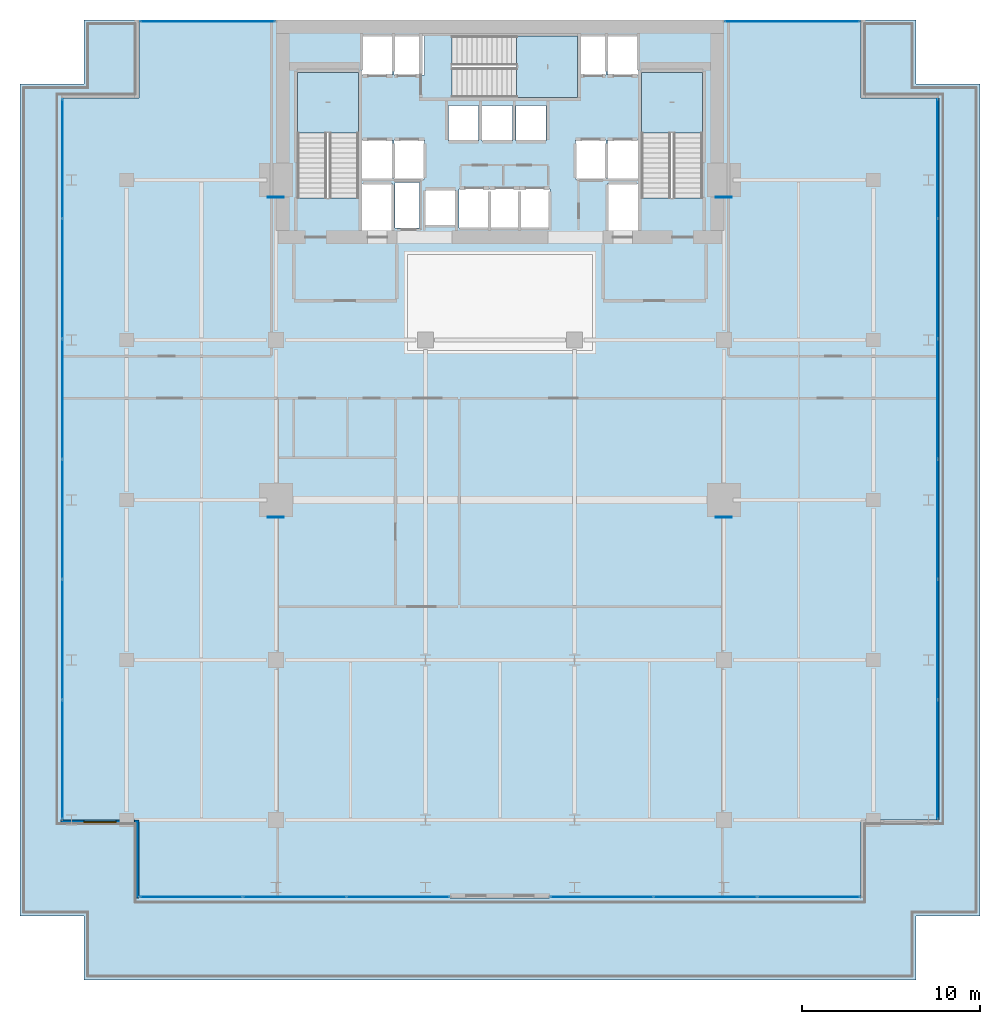
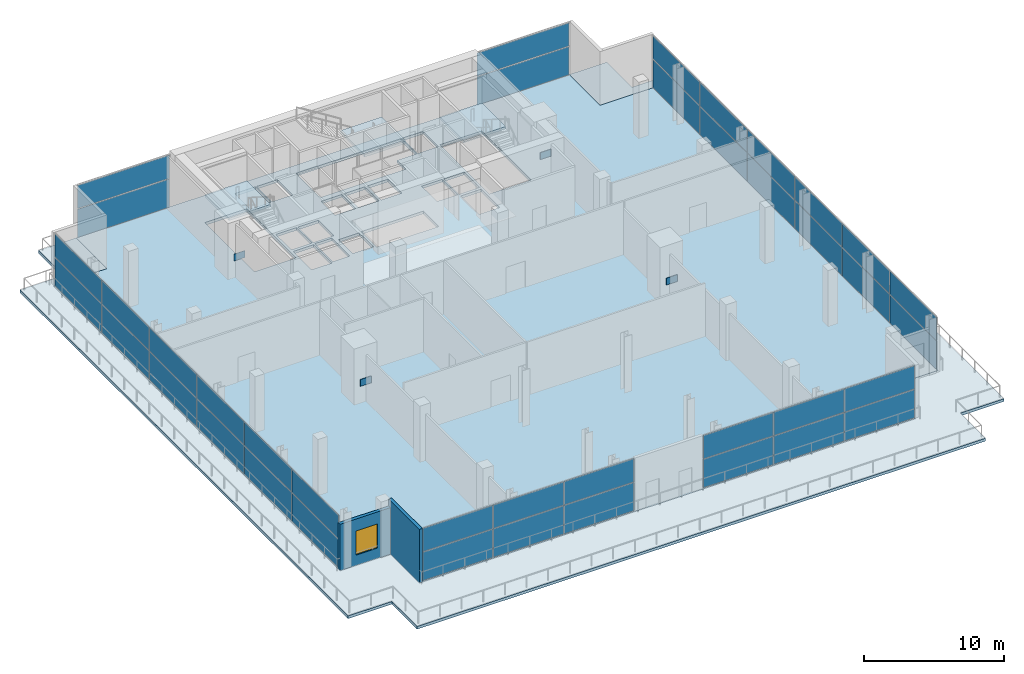
# One storey, part 23 of 31: 44 plates, 5 slabs, 2 walls, 1 window, 1 opening, 9 elements without a shape of their own.
"""IFC4 building model written with IfcOpenShell, lengths in metres."""

from ifc_helpers import new_model, si_unit, direction, frame, frame_2d, origin, origin_2d, place, context, subcontext, project, spatial, polyline, rectangle, outline, extrude, material, layer, layer_set, type_object, element, fill, aggregate, save


model = new_model("IFC4")

# Units and contexts
model_context = context("Model", 3, precision=1e-05, world=origin(), true_north=direction((0.0, 1.0)))
body_context = subcontext(model_context, "Body", "Model", "MODEL_VIEW")
ifc_project = project(units=[si_unit("LENGTHUNIT", "METRE"), si_unit("AREAUNIT", "SQUARE_METRE"), si_unit("VOLUMEUNIT", "CUBIC_METRE"), si_unit("PLANEANGLEUNIT", "RADIAN"), si_unit("MASSUNIT", "GRAM", prefix="KILO")], contexts=[model_context])

# Site, building, storey
site_placement = place(None, origin())
site = spatial("IfcSite", under=ifc_project, at=site_placement, CompositionType="ELEMENT")
building_placement = place(site_placement, origin())
building = spatial("IfcBuilding", under=site, at=building_placement, Name="Maruvema Waterfront Hotel and Observation Tower", CompositionType="ELEMENT")
storey_placement = place(building_placement, frame((0.0, 0.0, 122.5)))
storey = spatial("IfcBuildingStorey", under=building, at=storey_placement, Name="L29", CompositionType="ELEMENT", Elevation=122.5)

# Slabs
ifc_material_1 = material(Name="Concrete C50/60", Category="concrete")
ifc_layer_1 = layer(ifc_material_1, 0.239990234375, Name="Outdoor Setback Terrace Deck Slab 240 mm")
ifc_layer_set_1 = layer_set([ifc_layer_1], Name="Concrete C50/60")
slab_type_1 = type_object("IfcSlabType", Name="Outdoor Setback Terrace Deck Slab 240 mm", PredefinedType="FLOOR", material=ifc_layer_set_1)
slab_1_placement = place(storey_placement, frame((0.0, 0.0, -0.239990234375)))
element("IfcSlab", 1, at=slab_1_placement, inside=storey, type_object=slab_type_1, Name="L29 Outdoor Setback Terrace Deck 1", PredefinedType="FLOOR", context=body_context, shape_type="SweptSolid", body=[
    extrude(outline(polyline([(61.199951171875, 54.0), (61.199951171875, 50.39990234375), (64.800048828125, 50.39990234375), (64.800048828125, 3.60009765625), (61.199951171875, 3.60009765625), (61.199951171875, 0.0), (14.39990234375, 0.0), (14.39990234375, 3.60009765625), (10.800048828125, 3.60009765625), (10.800048828125, 50.39990234375), (14.39990234375, 50.39990234375), (14.39990234375, 54.0), (17.5, 54.0), (17.5, 49.60009765625), (13.10009765625, 49.60009765625), (13.10009765625, 9.0), (17.5, 9.0), (17.5, 4.60009765625), (58.10009765625, 4.60009765625), (58.10009765625, 9.0), (62.5, 9.0), (62.5, 49.60009765625), (58.10009765625, 49.60009765625), (58.10009765625, 54.0), (61.199951171875, 54.0)])), origin(), (0.0, 0.0, 1.0), 0.239990234375),
])
ifc_material_2 = material(Name="Concrete C50/60", Category="concrete")
ifc_layer_2 = layer(ifc_material_2, 0.239990234375, Name="Reinforced Concrete Floor Slab 240 mm")
ifc_layer_set_2 = layer_set([ifc_layer_2], Name="Concrete C50/60")
slab_type_2 = type_object("IfcSlabType", Name="Reinforced Concrete Floor Slab 240 mm", PredefinedType="FLOOR", material=ifc_layer_set_2)
slab_2_placement = place(storey_placement, frame((0.0, 0.0, -0.239990234375)))
element("IfcSlab", 2, at=slab_2_placement, inside=storey, type_object=slab_type_2, Name="L29 Structural Floor Slab", PredefinedType="FLOOR", context=body_context, shape_type="SweptSolid", body=[
    extrude(outline(polyline([(17.5, 4.60009765625), (58.10009765625, 4.60009765625), (58.10009765625, 9.0), (62.5, 9.0), (62.5, 49.60009765625), (58.10009765625, 49.60009765625), (58.10009765625, 54.0), (17.5, 54.0), (17.5, 49.60009765625), (13.10009765625, 49.60009765625), (13.10009765625, 9.0), (17.5, 9.0), (17.5, 4.60009765625)]), holes=[polyline([(26.39990234375, 44.00048828125), (26.39990234375, 51.050048828125), (29.85009765625, 51.050048828125), (29.85009765625, 44.00048828125), (26.39990234375, 44.00048828125)]), polyline([(30.050048828125, 44.800048828125), (31.75, 44.800048828125), (31.75, 42.169921875), (30.050048828125, 42.169921875), (30.050048828125, 44.800048828125)]), polyline([(31.75, 47.25), (31.75, 45.050048828125), (30.050048828125, 45.050048828125), (30.050048828125, 47.25), (31.75, 47.25)]), polyline([(31.75, 53.10009765625), (31.75, 50.89990234375), (30.050048828125, 50.89990234375), (30.050048828125, 53.10009765625), (31.75, 53.10009765625)]), polyline([(33.280029296875, 44.860107421875), (33.280029296875, 42.2900390625), (31.8798828125, 42.2900390625), (31.8798828125, 44.860107421875), (33.280029296875, 44.860107421875)]), polyline([(31.85009765625, 47.25), (33.550048828125, 47.25), (33.550048828125, 45.050048828125), (31.85009765625, 45.050048828125), (31.85009765625, 47.25)]), polyline([(31.85009765625, 53.10009765625), (33.550048828125, 53.10009765625), (33.550048828125, 50.89990234375), (31.85009765625, 50.89990234375), (31.85009765625, 53.10009765625)]), polyline([(33.60009765625, 44.449951171875), (35.300048828125, 44.449951171875), (35.300048828125, 42.449951171875), (33.60009765625, 42.449951171875), (33.60009765625, 44.449951171875)]), polyline([(34.89990234375, 49.199951171875), (36.60009765625, 49.199951171875), (36.60009765625, 47.199951171875), (34.89990234375, 47.199951171875), (34.89990234375, 49.199951171875)]), polyline([(38.5, 49.199951171875), (38.5, 47.199951171875), (36.800048828125, 47.199951171875), (36.800048828125, 49.199951171875), (38.5, 49.199951171875)]), polyline([(35.5, 44.5), (40.60009765625, 44.5), (40.60009765625, 42.300048828125), (35.5, 42.300048828125), (35.5, 44.5)]), polyline([(43.75, 50.89990234375), (42.14990234375, 50.89990234375), (42.14990234375, 49.64990234375), (35.1005859375, 49.64990234375), (35.1005859375, 53.10009765625), (43.75, 53.10009765625), (43.75, 50.89990234375)]), polyline([(40.39990234375, 49.199951171875), (40.39990234375, 47.199951171875), (38.699951171875, 47.199951171875), (38.699951171875, 49.199951171875), (40.39990234375, 49.199951171875)]), polyline([(43.75, 47.25), (43.75, 45.050048828125), (42.050048828125, 45.050048828125), (42.050048828125, 47.25), (43.75, 47.25)]), polyline([(45.550048828125, 44.800048828125), (45.550048828125, 42.169921875), (43.85009765625, 42.169921875), (43.85009765625, 44.800048828125), (45.550048828125, 44.800048828125)]), polyline([(43.85009765625, 47.25), (45.550048828125, 47.25), (45.550048828125, 45.050048828125), (43.85009765625, 45.050048828125), (43.85009765625, 47.25)]), polyline([(45.550048828125, 53.10009765625), (45.550048828125, 50.89990234375), (43.85009765625, 50.89990234375), (43.85009765625, 53.10009765625), (45.550048828125, 53.10009765625)]), polyline([(45.75, 51.050048828125), (49.199951171875, 51.050048828125), (49.199951171875, 44.00048828125), (45.75, 44.00048828125), (45.75, 51.050048828125)])]), origin(), (0.0, 0.0, 1.0), 0.239990234375),
])

# Curtain wall, plates
ifc_material_3 = material(Name="Anodised bronze aluminium and solar-control low-E IGU", Category="aluminium")
ifc_layer_3 = layer(ifc_material_3, 0.159912109375, Name="Zone 2 Amber Inner Thermal Curtain Wall System CW-03")
ifc_layer_set_3 = layer_set([ifc_layer_3], Name="Anodised bronze aluminium and solar-control low-E IGU")
curtain_wall_type = type_object("IfcCurtainWallType", Name="Zone 2 Amber Inner Thermal Curtain Wall System CW-03", PredefinedType="USERDEFINED", material=ifc_layer_set_3)
curtain_wall_1_placement = place(storey_placement, origin())
curtain_wall_1 = element("IfcCurtainWall", 3, at=curtain_wall_1_placement, inside=storey, type_object=curtain_wall_type, Name="L29 Curtain Wall CW-L29-SW", ObjectType="UNITISED CURTAIN WALL", PredefinedType="USERDEFINED")
ifc_material_4 = material(Name="Laminated low-E solar-control double glazing", Category="glass")
ifc_layer_4 = layer(ifc_material_4, 0.035888671875, Name="Solar Control Double-Glazed Curtain Panel 36 mm")
ifc_layer_set_4 = layer_set([ifc_layer_4], Name="Laminated low-E solar-control double glazing")
plate_type_1 = type_object("IfcPlateType", Name="Solar Control Double-Glazed Curtain Panel 36 mm", PredefinedType="CURTAIN_PANEL", material=ifc_layer_set_4)
plate_1_placement = place(storey_placement, frame((20.431640625, 4.679931640625, 0.06005859375), z_axis=(0.0, 0.0, 1.0), x_axis=(1.0, 0.0, 0.0)))
plate_1 = element("IfcPlate", 4, at=plate_1_placement, type_object=plate_type_1, Name="CW-03 panel 1.1", PredefinedType="CURTAIN_PANEL", context=body_context, shape_type="SweptSolid", body=[
    extrude(rectangle(XDim=5.743408203125, YDim=0.028076171875, at=origin_2d()), origin(), (0.0, 0.0, 1.0), 2.4599609375),
])
plate_2_placement = place(storey_placement, frame((20.431640625, 4.679931640625, 2.580078125), z_axis=(0.0, 0.0, 1.0), x_axis=(1.0, 0.0, 0.0)))
plate_2 = element("IfcPlate", 5, at=plate_2_placement, type_object=plate_type_1, Name="CW-03 panel 1.2", PredefinedType="CURTAIN_PANEL", context=body_context, shape_type="SweptSolid", body=[
    extrude(rectangle(XDim=5.743408203125, YDim=0.028076171875, at=origin_2d()), origin(), (0.0, 0.0, 1.0), 2.02001953125),
])
plate_3_placement = place(storey_placement, frame((26.25, 4.679931640625, 0.06005859375), z_axis=(0.0, 0.0, 1.0), x_axis=(1.0, 0.0, 0.0)))
plate_3 = element("IfcPlate", 6, at=plate_3_placement, type_object=plate_type_1, Name="CW-03 panel 2.1", PredefinedType="CURTAIN_PANEL", context=body_context, shape_type="SweptSolid", body=[
    extrude(rectangle(XDim=5.7734375, YDim=0.028076171875, at=origin_2d()), origin(), (0.0, 0.0, 1.0), 2.4599609375),
])
plate_4_placement = place(storey_placement, frame((26.25, 4.679931640625, 2.580078125), z_axis=(0.0, 0.0, 1.0), x_axis=(1.0, 0.0, 0.0)))
plate_4 = element("IfcPlate", 7, at=plate_4_placement, type_object=plate_type_1, Name="CW-03 panel 2.2", PredefinedType="CURTAIN_PANEL", context=body_context, shape_type="SweptSolid", body=[
    extrude(rectangle(XDim=5.7734375, YDim=0.028076171875, at=origin_2d()), origin(), (0.0, 0.0, 1.0), 2.02001953125),
])
plate_5_placement = place(storey_placement, frame((32.068359375, 4.679931640625, 0.06005859375), z_axis=(0.0, 0.0, 1.0), x_axis=(1.0, 0.0, 0.0)))
plate_5 = element("IfcPlate", 8, at=plate_5_placement, type_object=plate_type_1, Name="CW-03 panel 3.1", PredefinedType="CURTAIN_PANEL", context=body_context, shape_type="SweptSolid", body=[
    extrude(rectangle(XDim=5.743408203125, YDim=0.028076171875, at=origin_2d()), origin(), (0.0, 0.0, 1.0), 2.4599609375),
])
plate_6_placement = place(storey_placement, frame((32.068359375, 4.679931640625, 2.580078125), z_axis=(0.0, 0.0, 1.0), x_axis=(1.0, 0.0, 0.0)))
plate_6 = element("IfcPlate", 9, at=plate_6_placement, type_object=plate_type_1, Name="CW-03 panel 3.2", PredefinedType="CURTAIN_PANEL", context=body_context, shape_type="SweptSolid", body=[
    extrude(rectangle(XDim=5.743408203125, YDim=0.028076171875, at=origin_2d()), origin(), (0.0, 0.0, 1.0), 2.02001953125),
])
aggregate(curtain_wall_1, [plate_1, plate_2, plate_3, plate_4, plate_5, plate_6])

curtain_wall_2_placement = place(storey_placement, origin())
curtain_wall_2 = element("IfcCurtainWall", 10, at=curtain_wall_2_placement, inside=storey, type_object=curtain_wall_type, Name="L29 Curtain Wall CW-L29-SE", ObjectType="UNITISED CURTAIN WALL", PredefinedType="USERDEFINED")
plate_7_placement = place(storey_placement, frame((43.53173828125, 4.679931640625, 0.06005859375), z_axis=(0.0, 0.0, 1.0), x_axis=(1.0, 0.0, 0.0)))
plate_7 = element("IfcPlate", 11, at=plate_7_placement, type_object=plate_type_1, Name="CW-03 panel 1.1", PredefinedType="CURTAIN_PANEL", context=body_context, shape_type="SweptSolid", body=[
    extrude(rectangle(XDim=5.743408203125, YDim=0.028076171875, at=origin_2d()), origin(), (0.0, 0.0, 1.0), 2.4599609375),
])
plate_8_placement = place(storey_placement, frame((43.53173828125, 4.679931640625, 2.580078125), z_axis=(0.0, 0.0, 1.0), x_axis=(1.0, 0.0, 0.0)))
plate_8 = element("IfcPlate", 12, at=plate_8_placement, type_object=plate_type_1, Name="CW-03 panel 1.2", PredefinedType="CURTAIN_PANEL", context=body_context, shape_type="SweptSolid", body=[
    extrude(rectangle(XDim=5.743408203125, YDim=0.028076171875, at=origin_2d()), origin(), (0.0, 0.0, 1.0), 2.02001953125),
])
plate_9_placement = place(storey_placement, frame((49.35009765625, 4.679931640625, 0.06005859375), z_axis=(0.0, 0.0, 1.0), x_axis=(1.0, 0.0, 0.0)))
plate_9 = element("IfcPlate", 13, at=plate_9_placement, type_object=plate_type_1, Name="CW-03 panel 2.1", PredefinedType="CURTAIN_PANEL", context=body_context, shape_type="SweptSolid", body=[
    extrude(rectangle(XDim=5.7734375, YDim=0.028076171875, at=origin_2d()), origin(), (0.0, 0.0, 1.0), 2.4599609375),
])
plate_10_placement = place(storey_placement, frame((49.35009765625, 4.679931640625, 2.580078125), z_axis=(0.0, 0.0, 1.0), x_axis=(1.0, 0.0, 0.0)))
plate_10 = element("IfcPlate", 14, at=plate_10_placement, type_object=plate_type_1, Name="CW-03 panel 2.2", PredefinedType="CURTAIN_PANEL", context=body_context, shape_type="SweptSolid", body=[
    extrude(rectangle(XDim=5.7734375, YDim=0.028076171875, at=origin_2d()), origin(), (0.0, 0.0, 1.0), 2.02001953125),
])
plate_11_placement = place(storey_placement, frame((55.168212890625, 4.679931640625, 0.06005859375), z_axis=(0.0, 0.0, 1.0), x_axis=(1.0, 0.0, 0.0)))
plate_11 = element("IfcPlate", 15, at=plate_11_placement, type_object=plate_type_1, Name="CW-03 panel 3.1", PredefinedType="CURTAIN_PANEL", context=body_context, shape_type="SweptSolid", body=[
    extrude(rectangle(XDim=5.743408203125, YDim=0.028076171875, at=origin_2d()), origin(), (0.0, 0.0, 1.0), 2.4599609375),
])
plate_12_placement = place(storey_placement, frame((55.168212890625, 4.679931640625, 2.580078125), z_axis=(0.0, 0.0, 1.0), x_axis=(1.0, 0.0, 0.0)))
plate_12 = element("IfcPlate", 16, at=plate_12_placement, type_object=plate_type_1, Name="CW-03 panel 3.2", PredefinedType="CURTAIN_PANEL", context=body_context, shape_type="SweptSolid", body=[
    extrude(rectangle(XDim=5.743408203125, YDim=0.028076171875, at=origin_2d()), origin(), (0.0, 0.0, 1.0), 2.02001953125),
])
aggregate(curtain_wall_2, [plate_7, plate_8, plate_9, plate_10, plate_11, plate_12])

curtain_wall_3_placement = place(storey_placement, origin())
curtain_wall_3 = element("IfcCurtainWall", 17, at=curtain_wall_3_placement, inside=storey, type_object=curtain_wall_type, Name="L29 Curtain Wall CW-L29-E", ObjectType="UNITISED CURTAIN WALL", PredefinedType="USERDEFINED")
plate_13_placement = place(storey_placement, frame((62.419921875, 12.3984375, 0.06005859375), z_axis=(0.0, 0.0, 1.0), x_axis=(0.0, 1.0, 0.0)))
plate_13 = element("IfcPlate", 18, at=plate_13_placement, type_object=plate_type_1, Name="CW-03 panel 1.1", PredefinedType="CURTAIN_PANEL", context=body_context, shape_type="SweptSolid", body=[
    extrude(rectangle(XDim=6.6767578125, YDim=0.028076171875, at=origin_2d()), origin(), (0.0, 0.0, 1.0), 2.4599609375),
])
plate_14_placement = place(storey_placement, frame((62.419921875, 12.3984375, 2.580078125), z_axis=(0.0, 0.0, 1.0), x_axis=(0.0, 1.0, 0.0)))
plate_14 = element("IfcPlate", 19, at=plate_14_placement, type_object=plate_type_1, Name="CW-03 panel 1.2", PredefinedType="CURTAIN_PANEL", context=body_context, shape_type="SweptSolid", body=[
    extrude(rectangle(XDim=6.6767578125, YDim=0.028076171875, at=origin_2d()), origin(), (0.0, 0.0, 1.0), 2.02001953125),
])
plate_15_placement = place(storey_placement, frame((62.419921875, 19.14990234375, 0.06005859375), z_axis=(0.0, 0.0, 1.0), x_axis=(0.0, 1.0, 0.0)))
plate_15 = element("IfcPlate", 20, at=plate_15_placement, type_object=plate_type_1, Name="CW-03 panel 2.1", PredefinedType="CURTAIN_PANEL", context=body_context, shape_type="SweptSolid", body=[
    extrude(rectangle(XDim=6.706787109375, YDim=0.028076171875, at=origin_2d()), origin(), (0.0, 0.0, 1.0), 2.4599609375),
])
plate_16_placement = place(storey_placement, frame((62.419921875, 19.14990234375, 2.580078125), z_axis=(0.0, 0.0, 1.0), x_axis=(0.0, 1.0, 0.0)))
plate_16 = element("IfcPlate", 21, at=plate_16_placement, type_object=plate_type_1, Name="CW-03 panel 2.2", PredefinedType="CURTAIN_PANEL", context=body_context, shape_type="SweptSolid", body=[
    extrude(rectangle(XDim=6.706787109375, YDim=0.028076171875, at=origin_2d()), origin(), (0.0, 0.0, 1.0), 2.02001953125),
])
plate_17_placement = place(storey_placement, frame((62.419921875, 25.916748046875, 0.06005859375), z_axis=(0.0, 0.0, 1.0), x_axis=(0.0, 1.0, 0.0)))
plate_17 = element("IfcPlate", 22, at=plate_17_placement, type_object=plate_type_1, Name="CW-03 panel 3.1", PredefinedType="CURTAIN_PANEL", context=body_context, shape_type="SweptSolid", body=[
    extrude(rectangle(XDim=6.706787109375, YDim=0.028076171875, at=origin_2d()), origin(), (0.0, 0.0, 1.0), 2.4599609375),
])
plate_18_placement = place(storey_placement, frame((62.419921875, 25.916748046875, 2.580078125), z_axis=(0.0, 0.0, 1.0), x_axis=(0.0, 1.0, 0.0)))
plate_18 = element("IfcPlate", 23, at=plate_18_placement, type_object=plate_type_1, Name="CW-03 panel 3.2", PredefinedType="CURTAIN_PANEL", context=body_context, shape_type="SweptSolid", body=[
    extrude(rectangle(XDim=6.706787109375, YDim=0.028076171875, at=origin_2d()), origin(), (0.0, 0.0, 1.0), 2.02001953125),
])
plate_19_placement = place(storey_placement, frame((62.419921875, 32.683349609375, 0.06005859375), z_axis=(0.0, 0.0, 1.0), x_axis=(0.0, 1.0, 0.0)))
plate_19 = element("IfcPlate", 24, at=plate_19_placement, type_object=plate_type_1, Name="CW-03 panel 4.1", PredefinedType="CURTAIN_PANEL", context=body_context, shape_type="SweptSolid", body=[
    extrude(rectangle(XDim=6.706787109375, YDim=0.028076171875, at=origin_2d()), origin(), (0.0, 0.0, 1.0), 2.4599609375),
])
plate_20_placement = place(storey_placement, frame((62.419921875, 32.683349609375, 2.580078125), z_axis=(0.0, 0.0, 1.0), x_axis=(0.0, 1.0, 0.0)))
plate_20 = element("IfcPlate", 25, at=plate_20_placement, type_object=plate_type_1, Name="CW-03 panel 4.2", PredefinedType="CURTAIN_PANEL", context=body_context, shape_type="SweptSolid", body=[
    extrude(rectangle(XDim=6.706787109375, YDim=0.028076171875, at=origin_2d()), origin(), (0.0, 0.0, 1.0), 2.02001953125),
])
plate_21_placement = place(storey_placement, frame((62.419921875, 39.449951171875, 0.06005859375), z_axis=(0.0, 0.0, 1.0), x_axis=(0.0, 1.0, 0.0)))
plate_21 = element("IfcPlate", 26, at=plate_21_placement, type_object=plate_type_1, Name="CW-03 panel 5.1", PredefinedType="CURTAIN_PANEL", context=body_context, shape_type="SweptSolid", body=[
    extrude(rectangle(XDim=6.706787109375, YDim=0.028076171875, at=origin_2d()), origin(), (0.0, 0.0, 1.0), 2.4599609375),
])
plate_22_placement = place(storey_placement, frame((62.419921875, 39.449951171875, 2.580078125), z_axis=(0.0, 0.0, 1.0), x_axis=(0.0, 1.0, 0.0)))
plate_22 = element("IfcPlate", 27, at=plate_22_placement, type_object=plate_type_1, Name="CW-03 panel 5.2", PredefinedType="CURTAIN_PANEL", context=body_context, shape_type="SweptSolid", body=[
    extrude(rectangle(XDim=6.706787109375, YDim=0.028076171875, at=origin_2d()), origin(), (0.0, 0.0, 1.0), 2.02001953125),
])
plate_23_placement = place(storey_placement, frame((62.419921875, 46.20166015625, 0.06005859375), z_axis=(0.0, 0.0, 1.0), x_axis=(0.0, 1.0, 0.0)))
plate_23 = element("IfcPlate", 28, at=plate_23_placement, type_object=plate_type_1, Name="CW-03 panel 6.1", PredefinedType="CURTAIN_PANEL", context=body_context, shape_type="SweptSolid", body=[
    extrude(rectangle(XDim=6.6767578125, YDim=0.028076171875, at=origin_2d()), origin(), (0.0, 0.0, 1.0), 2.4599609375),
])
plate_24_placement = place(storey_placement, frame((62.419921875, 46.20166015625, 2.580078125), z_axis=(0.0, 0.0, 1.0), x_axis=(0.0, 1.0, 0.0)))
plate_24 = element("IfcPlate", 29, at=plate_24_placement, type_object=plate_type_1, Name="CW-03 panel 6.2", PredefinedType="CURTAIN_PANEL", context=body_context, shape_type="SweptSolid", body=[
    extrude(rectangle(XDim=6.6767578125, YDim=0.028076171875, at=origin_2d()), origin(), (0.0, 0.0, 1.0), 2.02001953125),
])
aggregate(curtain_wall_3, [plate_13, plate_14, plate_15, plate_16, plate_17, plate_18, plate_19, plate_20, plate_21, plate_22, plate_23, plate_24])

curtain_wall_4_placement = place(storey_placement, origin())
curtain_wall_4 = element("IfcCurtainWall", 30, at=curtain_wall_4_placement, inside=storey, type_object=curtain_wall_type, Name="L29 Curtain Wall CW-L29-W", ObjectType="UNITISED CURTAIN WALL", PredefinedType="USERDEFINED")
plate_25_placement = place(storey_placement, frame((13.179931640625, 46.20166015625, 0.06005859375), z_axis=(0.0, 0.0, 1.0), x_axis=(0.0, -1.0, 0.0)))
plate_25 = element("IfcPlate", 31, at=plate_25_placement, type_object=plate_type_1, Name="CW-03 panel 1.1", PredefinedType="CURTAIN_PANEL", context=body_context, shape_type="SweptSolid", body=[
    extrude(rectangle(XDim=6.6767578125, YDim=0.028076171875, at=origin_2d()), origin(), (0.0, 0.0, 1.0), 2.4599609375),
])
plate_26_placement = place(storey_placement, frame((13.179931640625, 46.20166015625, 2.580078125), z_axis=(0.0, 0.0, 1.0), x_axis=(0.0, -1.0, 0.0)))
plate_26 = element("IfcPlate", 32, at=plate_26_placement, type_object=plate_type_1, Name="CW-03 panel 1.2", PredefinedType="CURTAIN_PANEL", context=body_context, shape_type="SweptSolid", body=[
    extrude(rectangle(XDim=6.6767578125, YDim=0.028076171875, at=origin_2d()), origin(), (0.0, 0.0, 1.0), 2.02001953125),
])
plate_27_placement = place(storey_placement, frame((13.179931640625, 39.449951171875, 0.06005859375), z_axis=(0.0, 0.0, 1.0), x_axis=(0.0, -1.0, 0.0)))
plate_27 = element("IfcPlate", 33, at=plate_27_placement, type_object=plate_type_1, Name="CW-03 panel 2.1", PredefinedType="CURTAIN_PANEL", context=body_context, shape_type="SweptSolid", body=[
    extrude(rectangle(XDim=6.706787109375, YDim=0.028076171875, at=origin_2d()), origin(), (0.0, 0.0, 1.0), 2.4599609375),
])
plate_28_placement = place(storey_placement, frame((13.179931640625, 39.449951171875, 2.580078125), z_axis=(0.0, 0.0, 1.0), x_axis=(0.0, -1.0, 0.0)))
plate_28 = element("IfcPlate", 34, at=plate_28_placement, type_object=plate_type_1, Name="CW-03 panel 2.2", PredefinedType="CURTAIN_PANEL", context=body_context, shape_type="SweptSolid", body=[
    extrude(rectangle(XDim=6.706787109375, YDim=0.028076171875, at=origin_2d()), origin(), (0.0, 0.0, 1.0), 2.02001953125),
])
plate_29_placement = place(storey_placement, frame((13.179931640625, 32.683349609375, 0.06005859375), z_axis=(0.0, 0.0, 1.0), x_axis=(0.0, -1.0, 0.0)))
plate_29 = element("IfcPlate", 35, at=plate_29_placement, type_object=plate_type_1, Name="CW-03 panel 3.1", PredefinedType="CURTAIN_PANEL", context=body_context, shape_type="SweptSolid", body=[
    extrude(rectangle(XDim=6.706787109375, YDim=0.028076171875, at=origin_2d()), origin(), (0.0, 0.0, 1.0), 2.4599609375),
])
plate_30_placement = place(storey_placement, frame((13.179931640625, 32.683349609375, 2.580078125), z_axis=(0.0, 0.0, 1.0), x_axis=(0.0, -1.0, 0.0)))
plate_30 = element("IfcPlate", 36, at=plate_30_placement, type_object=plate_type_1, Name="CW-03 panel 3.2", PredefinedType="CURTAIN_PANEL", context=body_context, shape_type="SweptSolid", body=[
    extrude(rectangle(XDim=6.706787109375, YDim=0.028076171875, at=origin_2d()), origin(), (0.0, 0.0, 1.0), 2.02001953125),
])
plate_31_placement = place(storey_placement, frame((13.179931640625, 25.916748046875, 0.06005859375), z_axis=(0.0, 0.0, 1.0), x_axis=(0.0, -1.0, 0.0)))
plate_31 = element("IfcPlate", 37, at=plate_31_placement, type_object=plate_type_1, Name="CW-03 panel 4.1", PredefinedType="CURTAIN_PANEL", context=body_context, shape_type="SweptSolid", body=[
    extrude(rectangle(XDim=6.706787109375, YDim=0.028076171875, at=origin_2d()), origin(), (0.0, 0.0, 1.0), 2.4599609375),
])
plate_32_placement = place(storey_placement, frame((13.179931640625, 25.916748046875, 2.580078125), z_axis=(0.0, 0.0, 1.0), x_axis=(0.0, -1.0, 0.0)))
plate_32 = element("IfcPlate", 38, at=plate_32_placement, type_object=plate_type_1, Name="CW-03 panel 4.2", PredefinedType="CURTAIN_PANEL", context=body_context, shape_type="SweptSolid", body=[
    extrude(rectangle(XDim=6.706787109375, YDim=0.028076171875, at=origin_2d()), origin(), (0.0, 0.0, 1.0), 2.02001953125),
])
plate_33_placement = place(storey_placement, frame((13.179931640625, 19.14990234375, 0.06005859375), z_axis=(0.0, 0.0, 1.0), x_axis=(0.0, -1.0, 0.0)))
plate_33 = element("IfcPlate", 39, at=plate_33_placement, type_object=plate_type_1, Name="CW-03 panel 5.1", PredefinedType="CURTAIN_PANEL", context=body_context, shape_type="SweptSolid", body=[
    extrude(rectangle(XDim=6.706787109375, YDim=0.028076171875, at=origin_2d()), origin(), (0.0, 0.0, 1.0), 2.4599609375),
])
plate_34_placement = place(storey_placement, frame((13.179931640625, 19.14990234375, 2.580078125), z_axis=(0.0, 0.0, 1.0), x_axis=(0.0, -1.0, 0.0)))
plate_34 = element("IfcPlate", 40, at=plate_34_placement, type_object=plate_type_1, Name="CW-03 panel 5.2", PredefinedType="CURTAIN_PANEL", context=body_context, shape_type="SweptSolid", body=[
    extrude(rectangle(XDim=6.706787109375, YDim=0.028076171875, at=origin_2d()), origin(), (0.0, 0.0, 1.0), 2.02001953125),
])
plate_35_placement = place(storey_placement, frame((13.179931640625, 12.3984375, 0.06005859375), z_axis=(0.0, 0.0, 1.0), x_axis=(0.0, -1.0, 0.0)))
plate_35 = element("IfcPlate", 41, at=plate_35_placement, type_object=plate_type_1, Name="CW-03 panel 6.1", PredefinedType="CURTAIN_PANEL", context=body_context, shape_type="SweptSolid", body=[
    extrude(rectangle(XDim=6.6767578125, YDim=0.028076171875, at=origin_2d()), origin(), (0.0, 0.0, 1.0), 2.4599609375),
])
plate_36_placement = place(storey_placement, frame((13.179931640625, 12.3984375, 2.580078125), z_axis=(0.0, 0.0, 1.0), x_axis=(0.0, -1.0, 0.0)))
plate_36 = element("IfcPlate", 42, at=plate_36_placement, type_object=plate_type_1, Name="CW-03 panel 6.2", PredefinedType="CURTAIN_PANEL", context=body_context, shape_type="SweptSolid", body=[
    extrude(rectangle(XDim=6.6767578125, YDim=0.028076171875, at=origin_2d()), origin(), (0.0, 0.0, 1.0), 2.02001953125),
])
aggregate(curtain_wall_4, [plate_25, plate_26, plate_27, plate_28, plate_29, plate_30, plate_31, plate_32, plate_33, plate_34, plate_35, plate_36])

curtain_wall_5_placement = place(storey_placement, origin())
curtain_wall_5 = element("IfcCurtainWall", 43, at=curtain_wall_5_placement, inside=storey, type_object=curtain_wall_type, Name="L29 Curtain Wall CW-L29-NW", ObjectType="UNITISED CURTAIN WALL", PredefinedType="USERDEFINED")
plate_37_placement = place(storey_placement, frame((21.35009765625, 53.919921875, 0.06005859375), z_axis=(0.0, 0.0, 1.0), x_axis=(-1.0, 0.0, 0.0)))
plate_37 = element("IfcPlate", 44, at=plate_37_placement, type_object=plate_type_1, Name="CW-03 panel 1.1", PredefinedType="CURTAIN_PANEL", context=body_context, shape_type="SweptSolid", body=[
    extrude(rectangle(XDim=7.580078125, YDim=0.028076171875, at=origin_2d()), origin(), (0.0, 0.0, 1.0), 2.4599609375),
])
plate_38_placement = place(storey_placement, frame((21.35009765625, 53.919921875, 2.580078125), z_axis=(0.0, 0.0, 1.0), x_axis=(-1.0, 0.0, 0.0)))
plate_38 = element("IfcPlate", 45, at=plate_38_placement, type_object=plate_type_1, Name="CW-03 panel 1.2", PredefinedType="CURTAIN_PANEL", context=body_context, shape_type="SweptSolid", body=[
    extrude(rectangle(XDim=7.580078125, YDim=0.028076171875, at=origin_2d()), origin(), (0.0, 0.0, 1.0), 2.02001953125),
])
aggregate(curtain_wall_5, [plate_37, plate_38])

curtain_wall_6_placement = place(storey_placement, origin())
curtain_wall_6 = element("IfcCurtainWall", 46, at=curtain_wall_6_placement, inside=storey, type_object=curtain_wall_type, Name="L29 Curtain Wall CW-L29-NE", ObjectType="UNITISED CURTAIN WALL", PredefinedType="USERDEFINED")
plate_39_placement = place(storey_placement, frame((54.25, 53.919921875, 0.06005859375), z_axis=(0.0, 0.0, 1.0), x_axis=(-1.0, 0.0, 0.0)))
plate_39 = element("IfcPlate", 47, at=plate_39_placement, type_object=plate_type_1, Name="CW-03 panel 1.1", PredefinedType="CURTAIN_PANEL", context=body_context, shape_type="SweptSolid", body=[
    extrude(rectangle(XDim=7.580078125, YDim=0.028076171875, at=origin_2d()), origin(), (0.0, 0.0, 1.0), 2.4599609375),
])
plate_40_placement = place(storey_placement, frame((54.25, 53.919921875, 2.580078125), z_axis=(0.0, 0.0, 1.0), x_axis=(-1.0, 0.0, 0.0)))
plate_40 = element("IfcPlate", 48, at=plate_40_placement, type_object=plate_type_1, Name="CW-03 panel 1.2", PredefinedType="CURTAIN_PANEL", context=body_context, shape_type="SweptSolid", body=[
    extrude(rectangle(XDim=7.580078125, YDim=0.028076171875, at=origin_2d()), origin(), (0.0, 0.0, 1.0), 2.02001953125),
])
aggregate(curtain_wall_6, [plate_39, plate_40])

# Stair, slab
ifc_material_5 = material(Name="Concrete C50/60", Category="concrete")
stair_type = type_object("IfcStairType", Name="Dogleg Exit Stair 1650 mm (28R x 175.0 mm)", PredefinedType="HALF_TURN_STAIR", material=ifc_material_5)
stair_1_placement = place(storey_placement, origin())
stair_1 = element("IfcStair", 49, at=stair_1_placement, inside=storey, type_object=stair_type, Name="L29 ST-01", PredefinedType="HALF_TURN_STAIR")
ifc_material_6 = material(Name="Concrete C50/60", Category="concrete")
ifc_layer_5 = layer(ifc_material_6, 0.219970703125, Name="Stair Concrete Landing Slab 220 mm")
ifc_layer_set_5 = layer_set([ifc_layer_5], Name="Concrete C50/60")
slab_type_3 = type_object("IfcSlabType", Name="Stair Concrete Landing Slab 220 mm", PredefinedType="LANDING", material=ifc_layer_set_5)
slab_3_placement = place(storey_placement, frame((0.0, 0.0, 2.22998046875)))
slab_3 = element("IfcSlab", 50, at=slab_3_placement, type_object=slab_type_3, Name="ST-01 landing 1", PredefinedType="LANDING", context=body_context, shape_type="SweptSolid", body=[
    extrude(outline(polyline([(29.85009765625, 47.639892578125), (29.85009765625, 51.050048828125), (26.39990234375, 51.050048828125), (26.39990234375, 47.639892578125), (29.85009765625, 47.639892578125)])), origin(), (0.0, 0.0, 1.0), 0.219970703125),
])
aggregate(stair_1, [slab_3])

stair_2_placement = place(storey_placement, origin())
stair_2 = element("IfcStair", 51, at=stair_2_placement, inside=storey, type_object=stair_type, Name="L29 ST-02", PredefinedType="HALF_TURN_STAIR")
slab_4_placement = place(storey_placement, frame((0.0, 0.0, 2.22998046875)))
slab_4 = element("IfcSlab", 52, at=slab_4_placement, type_object=slab_type_3, Name="ST-02 landing 1", PredefinedType="LANDING", context=body_context, shape_type="SweptSolid", body=[
    extrude(outline(polyline([(38.739990234375, 49.64990234375), (42.14990234375, 49.64990234375), (42.14990234375, 53.10009765625), (38.739990234375, 53.10009765625), (38.739990234375, 49.64990234375)])), origin(), (0.0, 0.0, 1.0), 0.219970703125),
])
aggregate(stair_2, [slab_4])

stair_3_placement = place(storey_placement, origin())
stair_3 = element("IfcStair", 53, at=stair_3_placement, inside=storey, type_object=stair_type, Name="L29 ST-03", PredefinedType="HALF_TURN_STAIR")
slab_5_placement = place(storey_placement, frame((0.0, 0.0, 2.22998046875)))
slab_5 = element("IfcSlab", 54, at=slab_5_placement, type_object=slab_type_3, Name="ST-03 landing 1", PredefinedType="LANDING", context=body_context, shape_type="SweptSolid", body=[
    extrude(outline(polyline([(49.199951171875, 47.639892578125), (49.199951171875, 51.050048828125), (45.75, 51.050048828125), (45.75, 47.639892578125), (49.199951171875, 47.639892578125)])), origin(), (0.0, 0.0, 1.0), 0.219970703125),
])
aggregate(stair_3, [slab_5])

# Plates
ifc_material_7 = material(Name="Steel ABNT NBR 7007 AR 415 (ASTM A572 Grade 50)", Category="steel")
ifc_layer_6 = layer(ifc_material_7, 0.0400390625, Name="Structural Truss Node Gusset Plate 40 mm")
ifc_layer_set_6 = layer_set([ifc_layer_6], Name="Steel ABNT NBR 7007 AR 415 (ASTM A572 Grade 50)")
plate_type_2 = type_object("IfcPlateType", Name="Structural Truss Node Gusset Plate 40 mm", PredefinedType="USERDEFINED", material=ifc_layer_set_6)
for number, where, z_axis, x_axis, name in (
    (55, (25.199951171875, 26.030029296875, 1.5), (0.0, 0.0, 1.0), (1.0, 0.0, 0.0), "L29 MC-01 Moment Frame Continuity Gusset Plate"),
    (56, (50.39990234375, 26.030029296875, 1.5), (0.0, 0.0, 1.0), (1.0, 0.0, 0.0), "L29 MC-02 Moment Frame Continuity Gusset Plate"),
    (57, (25.199951171875, 44.030029296875, 1.5), (0.0, 0.0, 1.0), (1.0, 0.0, 0.0), "L29 MC-03 Moment Frame Continuity Gusset Plate"),
    (58, (50.39990234375, 44.030029296875, 1.5), (0.0, 0.0, 1.0), (1.0, 0.0, 0.0), "L29 MC-04 Moment Frame Continuity Gusset Plate"),
):
    element("IfcPlate", number, at=place(storey_placement, frame(where, z_axis=z_axis, x_axis=x_axis)), inside=storey, type_object=plate_type_2, Name=name, ObjectType="GUSSET_PLATE", PredefinedType="USERDEFINED", context=body_context, shape_type="SweptSolid", body=[
        extrude(rectangle(XDim=0.89990234375, YDim=0.0400390625, at=origin_2d()), origin(), (0.0, 0.0, 1.0), 0.60009765625),
    ])

# Wall
ifc_material_8 = material(Name="Precast concrete C45/55 with honed Pernambuco granite facing", Category="masonry")
ifc_layer_7 = layer(ifc_material_8, 0.260009765625, Name="Exterior Granite Clad Spandrel and Pier Wall 260 mm")
ifc_layer_set_7 = layer_set([ifc_layer_7], Name="Precast concrete C45/55 with honed Pernambuco granite facing")
wall_type = type_object("IfcWallType", Name="Exterior Granite Clad Spandrel and Pier Wall 260 mm", PredefinedType="SOLIDWALL", material=ifc_layer_set_7)
wall_1_placement = place(storey_placement, frame((17.3701171875, 4.60009765625, 0.0), z_axis=(0.0, 0.0, 1.0), x_axis=(0.0, 1.0, 0.0)))
element("IfcWall", 59, at=wall_1_placement, inside=storey, type_object=wall_type, Name="L29 Corner Notch Granite Pier Wall SW1", PredefinedType="SOLIDWALL", context=body_context, shape_type="SweptSolid", body=[
    extrude(rectangle(XDim=4.39990234375, YDim=0.260009765625, at=frame_2d((2.199951171875, 0.0))), origin(), (0.0, 0.0, 1.0), 4.659912109375),
])

# Wall, opening, window
wall_2_placement = place(storey_placement, frame((17.5, 8.8701171875, 0.0), z_axis=(0.0, 0.0, 1.0), x_axis=(-1.0, 0.0, 0.0)))
wall_2 = element("IfcWall", 60, at=wall_2_placement, inside=storey, type_object=wall_type, Name="L29 Corner Notch Granite Pier Wall SW2", PredefinedType="SOLIDWALL", context=body_context, shape_type="SweptSolid", body=[
    extrude(rectangle(XDim=4.39990234375, YDim=0.260009765625, at=frame_2d((2.199951171875, 0.0))), origin(), (0.0, 0.0, 1.0), 4.048095703125),
])
opening_placement = place(wall_2_placement, frame((1.300048828125, 0.0, 0.89990234375)))
opening = element("IfcOpeningElement", 61, at=opening_placement, cuts=wall_2, Name="Opening WN-02", PredefinedType="OPENING", context=body_context, shape_type="SweptSolid", body=[
    extrude(rectangle(XDim=1.800048828125, YDim=2.10009765625, at=frame_2d((0.89990234375, 1.050048828125))), frame((0.0, 0.14013671875, 0.0), z_axis=(0.0, -1.0, 0.0), x_axis=(1.0, 0.0, 0.0)), (0.0, 0.0, 1.0), 0.280029296875),
])
ifc_material_9 = material(Name="Anodised bronze aluminium frame with laminated low-E glass", Category="aluminium")
window_type = type_object("IfcWindowType", Name="Upper Notch Feature Window 1800x2100 mm", PartitioningType="SINGLE_PANEL", PredefinedType="WINDOW", material=ifc_material_9)
window_placement = place(opening_placement, origin())
window = element("IfcWindow", 62, at=window_placement, inside=storey, type_object=window_type, Name="L29 Corner Notch Punched Window SW2", OverallHeight=2.10009765625, OverallWidth=1.800048828125, PartitioningType="SINGLE_PANEL", PredefinedType="WINDOW", context=body_context, shape_type="SweptSolid", body=[
    extrude(rectangle(XDim=1.800048828125, YDim=2.10009765625, at=frame_2d((0.89990234375, 1.050048828125))), frame((0.0, 0.030029296875, 0.0), z_axis=(0.0, -1.0, 0.0), x_axis=(1.0, 0.0, 0.0)), (0.0, 0.0, 1.0), 0.06005859375),
])
fill(opening, window)

save(model, "model.ifc")
